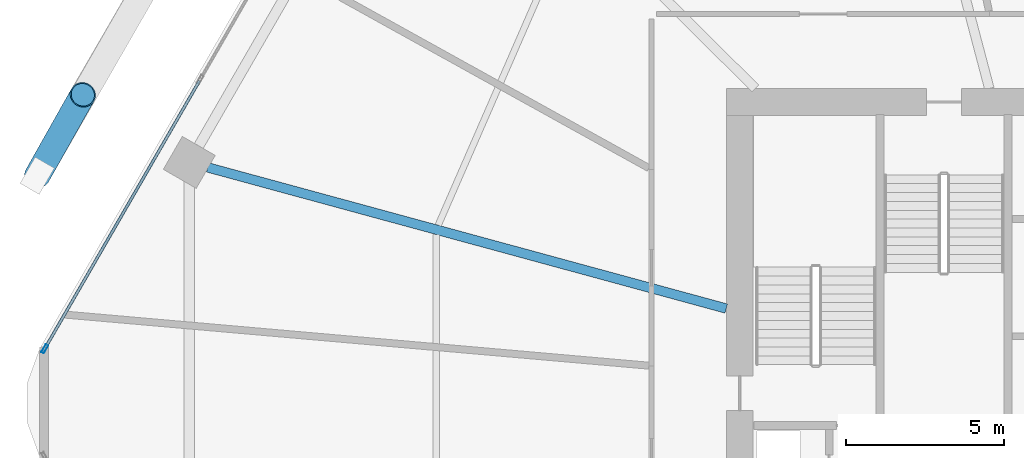
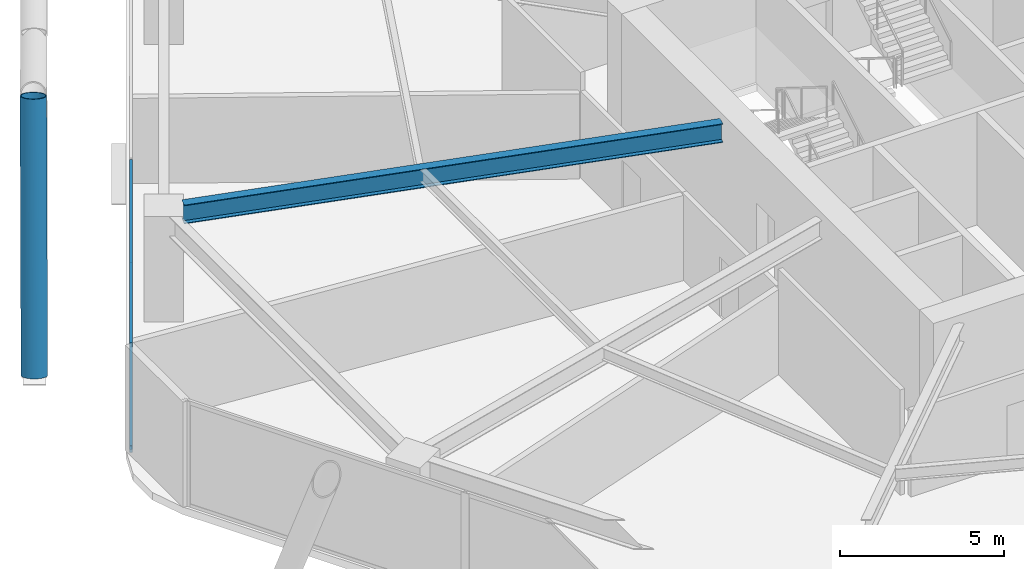
# One storey, part 13 of 30: 4 members, 1 beam, 1 element without a shape of its own.
"""IFC4 building model written with IfcOpenShell, lengths in metres."""

from ifc_helpers import new_model, si_unit, direction, frame, origin, origin_2d, place, context, subcontext, project, spatial, hollow_rectangle, hollow_circle, i_section, extrude, material, material_profile, profile_set, type_object, element, aggregate, save


model = new_model("IFC4")

# Units and contexts
model_context = context("Model", 3, precision=1e-05, world=origin(), true_north=direction((0.0, 1.0)))
body_context = subcontext(model_context, "Body", "Model", "MODEL_VIEW")
ifc_project = project(units=[si_unit("LENGTHUNIT", "METRE"), si_unit("AREAUNIT", "SQUARE_METRE"), si_unit("VOLUMEUNIT", "CUBIC_METRE"), si_unit("PLANEANGLEUNIT", "RADIAN"), si_unit("MASSUNIT", "GRAM", prefix="KILO")], contexts=[model_context])

# Site, building, storey
site_placement = place(None, origin())
site = spatial("IfcSite", under=ifc_project, at=site_placement, CompositionType="ELEMENT")
building_placement = place(site_placement, origin())
building = spatial("IfcBuilding", under=site, at=building_placement, Name="Zuhravey Tower", CompositionType="ELEMENT")
storey_placement = place(building_placement, frame((0.0, 0.0, 58.199951171875)))
storey = spatial("IfcBuildingStorey", under=building, at=storey_placement, Name="L14", CompositionType="ELEMENT", Elevation=58.199951171875)

# Curtain wall, members
ifc_material_1 = material(Name="Thermally broken anodised aluminium", Category="aluminium")
curtain_wall_type = type_object("IfcCurtainWallType", Name="School Low-E Unitised Curtain Wall CW1", PredefinedType="NOTDEFINED", material=ifc_material_1)
curtain_wall_placement = place(storey_placement, origin())
curtain_wall = element("IfcCurtainWall", 1, at=curtain_wall_placement, inside=storey, type_object=curtain_wall_type, Name="L14 CW1 CW-L14-F3-1", PredefinedType="NOTDEFINED")
ifc_material_2 = material(Name="Anodised aluminium", Category="aluminium")
ifc_material_profile_1 = material_profile(ifc_material_2, hollow_rectangle(XDim=0.090087890625, YDim=0.284912109375, WallThickness=0.0048828125, at=origin_2d()), Name="ALU-RHS-90x285x5")
ifc_profile_set_1 = profile_set([ifc_material_profile_1], Name="Anodised aluminium")
member_type_1 = type_object("IfcMemberType", Name="Curtain-Wall Mullion 90x180", PredefinedType="MULLION", material=ifc_profile_set_1)
member_1_placement = place(storey_placement, frame((3.5439453125, 33.701416015625, 0.0), z_axis=(0.0, 0.0, 1.0), x_axis=(-0.86602552265, 0.499999794119, 0.0)))
member_1 = element("IfcMember", 2, at=member_1_placement, type_object=member_type_1, Name="CW1 mullion 1", PredefinedType="MULLION", context=body_context, shape_type="SweptSolid", body=[
    extrude(hollow_rectangle(XDim=0.090087890625, YDim=0.284912109375, WallThickness=0.0048828125, at=origin_2d()), origin(), (0.0, 0.0, 1.0), 3.920166015625),
])
ifc_material_profile_2 = material_profile(ifc_material_2, hollow_rectangle(XDim=0.090087890625, YDim=0.14990234375, WallThickness=0.0048828125, at=origin_2d()), Name="ALU-RHS-90x150x5")
ifc_profile_set_2 = profile_set([ifc_material_profile_2], Name="Anodised aluminium")
member_type_2 = type_object("IfcMemberType", Name="Curtain-Wall Transom 90x150", PredefinedType="USERDEFINED", material=ifc_profile_set_2)
member_2_placement = place(storey_placement, frame((3.56640625, 33.740478515625, 0.045166015625), z_axis=(0.500008393077, 0.866020557985, 0.0), x_axis=(-0.866020557985, 0.500008393077, 0.0)))
member_2 = element("IfcMember", 3, at=member_2_placement, type_object=member_type_2, Name="CW1 transom 1.1", ObjectType="TRANSOM", PredefinedType="USERDEFINED", context=body_context, shape_type="SweptSolid", body=[
    extrude(hollow_rectangle(XDim=0.090087890625, YDim=0.14990234375, WallThickness=0.0048828125, at=origin_2d()), origin(), (0.0, 0.0, 1.0), 9.731201171875),
])
member_3_placement = place(storey_placement, frame((3.56640625, 33.740478515625, 3.875), z_axis=(0.500008393077, 0.866020557985, 0.0), x_axis=(-0.866020557985, 0.500008393077, 0.0)))
member_3 = element("IfcMember", 4, at=member_3_placement, type_object=member_type_2, Name="CW1 transom 1.2", ObjectType="TRANSOM", PredefinedType="USERDEFINED", context=body_context, shape_type="SweptSolid", body=[
    extrude(hollow_rectangle(XDim=0.090087890625, YDim=0.14990234375, WallThickness=0.0048828125, at=origin_2d()), origin(), (0.0, 0.0, 1.0), 9.731201171875),
])
aggregate(curtain_wall, [member_1, member_2, member_3])

# Member
ifc_material_3 = material(Name="Steel SM460", Category="steel")
ifc_material_profile_3 = material_profile(ifc_material_3, hollow_circle(Radius=0.406494140625, WallThickness=0.035888671875, at=origin_2d()), Name="CHS-812.8x36")
ifc_profile_set_3 = profile_set([ifc_material_profile_3], Name="Steel SM460")
member_type_3 = type_object("IfcMemberType", Name="Exoskeleton Zone 1 Diagrid CHS813x36", PredefinedType="BRACE", material=ifc_profile_set_3)
member_4_placement = place(storey_placement, frame((3.310546875, 39.17724609375, -0.471923828125), z_axis=(0.162383773974, 0.288038869576, 0.943750560033), x_axis=(-0.871107455363, 0.491092456886, 0.0)))
element("IfcMember", 5, at=member_4_placement, inside=storey, type_object=member_type_3, Name="L14 Face 3 Diagrid Brace 4", PredefinedType="BRACE", context=body_context, shape_type="SweptSolid", body=[
    extrude(hollow_circle(Radius=0.406494140625, WallThickness=0.035888671875, at=origin_2d()), origin(), (0.0, 0.0, 1.0), 8.85400390625),
])

# Beam
ifc_material_4 = material(Name="Steel SM355", Category="steel")
ifc_material_profile_4 = material_profile(ifc_material_4, i_section(OverallWidth=0.300048828125, OverallDepth=0.699951171875, WebThickness=0.012939453125, FlangeThickness=0.02392578125, at=origin_2d()), Name="H-700x300x13x24")
ifc_profile_set_4 = profile_set([ifc_material_profile_4], Name="Steel SM355")
beam_type = type_object("IfcBeamType", Name="Radial Primary Girder H700x300", PredefinedType="BEAM", material=ifc_profile_set_4)
beam_placement = place(storey_placement, frame((25.072021484375, 34.974609375, 3.570068359375), z_axis=(-0.964892480455, 0.26264520015, 0.0), x_axis=(-0.26264520015, -0.964892480455, 0.0)))
element("IfcBeam", 6, at=beam_placement, inside=storey, type_object=beam_type, Name="L14 RG1 BM-L14-RAD-06", PredefinedType="BEAM", context=body_context, shape_type="SweptSolid", body=[
    extrude(i_section(OverallWidth=0.300048828125, OverallDepth=0.699951171875, WebThickness=0.012939453125, FlangeThickness=0.02392578125, at=origin_2d()), origin(), (0.0, 0.0, 1.0), 16.975341796875),
])

save(model, "model.ifc")
